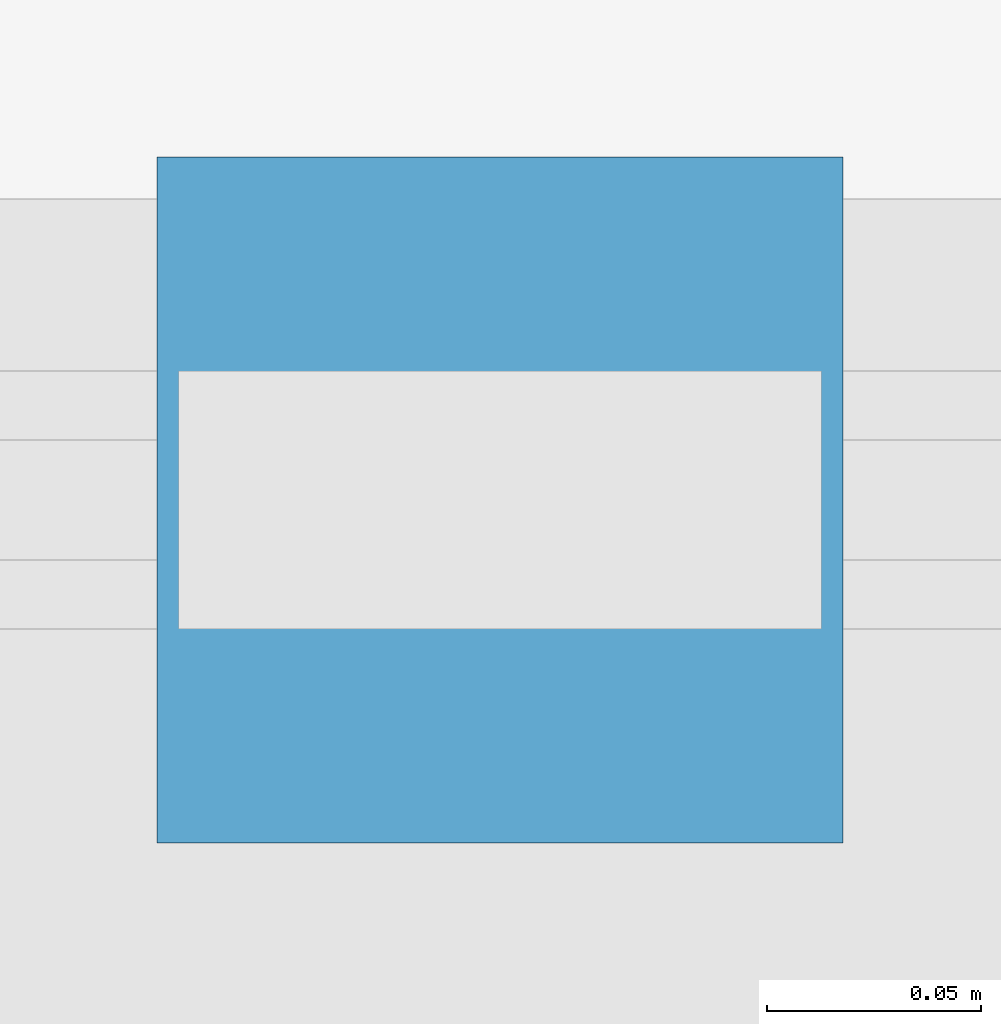
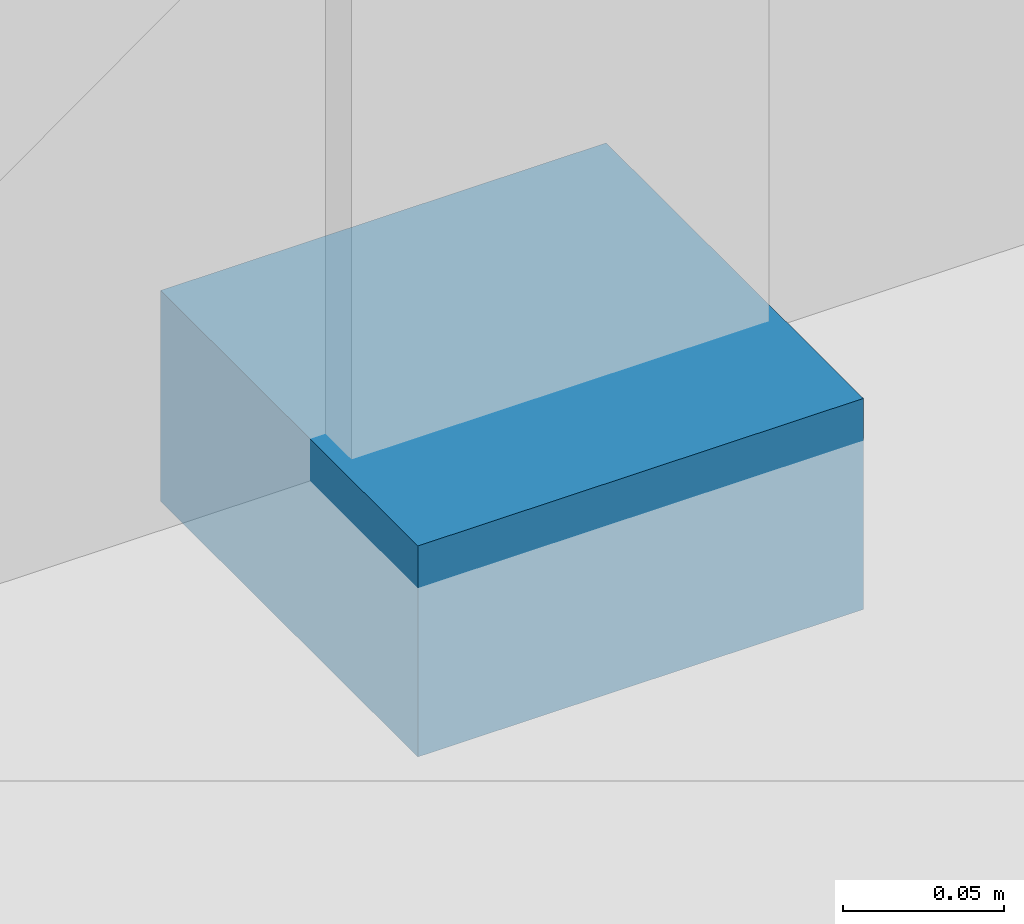
# One storey, part 64 of 76: 1 discrete accessory.
"""IFC4 building model written with IfcOpenShell, lengths in metres."""

import ifcopenshell
import ifcopenshell.guid

model = None  # the IFC model being written
_history = None  # IfcOwnerHistory: only IFC2X3 demands one
_inside = {}  # id of a spatial element -> (the spatial element, [elements in it])
_under = {}  # id of a project, library or spatial element -> (it, [spatial elements below it])
_declared = {}  # id of a project -> (the project, [libraries it declares])
_typed = {}  # id of a type object -> (the type object, [elements of that type])
_made_of = {}  # id of a material, layer set ... -> (it, [elements and type objects made of it])


def new_model(schema):
    """Start an empty IFC model of exactly this schema.

    Asked for "IFC4X3", IfcOpenShell would pick the latest addendum, in which some entities
    have other attributes; the version numbers below select the first issue.
    IFC2X3 requires an IfcOwnerHistory on every rooted entity: one is made here for all.
    """
    global model, _history
    if schema == "IFC4X3":
        model = ifcopenshell.file(schema_version=(4, 3, 0, 0))
    else:
        model = ifcopenshell.file(schema=schema)
    _inside.clear()
    _under.clear()
    _declared.clear()
    _typed.clear()
    _made_of.clear()
    _history = None
    if model.schema == "IFC2X3":
        org = make("IfcOrganization", Name="unknown")
        user = make(
            "IfcPersonAndOrganization",
            ThePerson=make("IfcPerson", FamilyName="unknown"),
            TheOrganization=org,
        )
        app = make(
            "IfcApplication",
            ApplicationDeveloper=org,
            Version="unknown",
            ApplicationFullName="unknown",
            ApplicationIdentifier="unknown",
        )
        _history = make(
            "IfcOwnerHistory",
            OwningUser=user,
            OwningApplication=app,
            ChangeAction="ADDED",
            CreationDate=0,
        )
    return model


def make(cls, **values):
    """One entity of the class cls with the attributes given. An attribute that is None is left unset."""
    return model.create_entity(
        cls, **{name: value for name, value in values.items() if value is not None}
    )


def rooted(cls, **values):
    """An entity with a GlobalId (a new one), such as an element, a storey or a relation."""
    return make(cls, GlobalId=ifcopenshell.guid.new(), OwnerHistory=_history, **values)


def si_unit(unit_type, name, prefix=None):
    """IfcSIUnit, for example si_unit("LENGTHUNIT", "METRE", prefix="MILLI")."""
    return make("IfcSIUnit", UnitType=unit_type, Prefix=prefix, Name=name)


def assignment(units):
    """IfcUnitAssignment: the units of a project."""
    return None if units is None else make("IfcUnitAssignment", Units=units)


def point(xyz):
    """IfcCartesianPoint."""
    return None if xyz is None else make("IfcCartesianPoint", Coordinates=xyz)


def direction(xyz):
    """IfcDirection."""
    return None if xyz is None else make("IfcDirection", DirectionRatios=xyz)


def frame(location, z_axis=None, x_axis=None):
    """IfcAxis2Placement3D, a coordinate frame: its origin and axes. An axis left out is left unset."""
    return make(
        "IfcAxis2Placement3D",
        Location=point(location),
        Axis=direction(z_axis),
        RefDirection=direction(x_axis),
    )


def frame_2d(location, x_axis=None):
    """IfcAxis2Placement2D, a coordinate frame in the plane: its origin and x axis."""
    return make(
        "IfcAxis2Placement2D", Location=point(location), RefDirection=direction(x_axis)
    )


def origin():
    """The frame at (0, 0, 0) with its axes left unset."""
    return frame((0.0, 0.0, 0.0))


def origin_2d():
    """The frame at (0, 0) in the plane with its x axis left unset."""
    return frame_2d((0.0, 0.0))


def place(relative_to, where):
    """IfcLocalPlacement: puts the frame where relative to a parent placement (None: the world)."""
    return make(
        "IfcLocalPlacement", PlacementRelTo=relative_to, RelativePlacement=where
    )


def context(
    kind, dimensions, precision=None, world=None, true_north=None, identifier=None
):
    """IfcGeometricRepresentationContext, for example the 3D "Model" context."""
    return make(
        "IfcGeometricRepresentationContext",
        ContextIdentifier=identifier,
        ContextType=kind,
        CoordinateSpaceDimension=dimensions,
        Precision=precision,
        WorldCoordinateSystem=world,
        TrueNorth=true_north,
    )


def subcontext(parent, identifier, kind, view, scale=None):
    """IfcGeometricRepresentationSubContext, for example "Body" below "Model"."""
    return make(
        "IfcGeometricRepresentationSubContext",
        ContextIdentifier=identifier,
        ContextType=kind,
        ParentContext=parent,
        TargetScale=scale,
        TargetView=view,
    )


def project(units=None, contexts=None):
    """IfcProject with its units and contexts."""
    return rooted(
        "IfcProject",
        Name="project",
        RepresentationContexts=contexts,
        UnitsInContext=assignment(units),
    )


def spatial(cls, under=None, at=None, **own):
    """A site, building, storey or space (cls), placed at a placement, below another one or the project."""
    s = rooted(cls, ObjectPlacement=at, **own)
    if under is not None:
        _under.setdefault(under.id(), (under, []))[1].append(s)
    return s


def profile(cls, at=None, kind="AREA", **sizes):
    """A parametric profile (cls). Its sizes go by their IFC names, for example OverallWidth=200.0."""
    return make(cls, ProfileType=kind, Position=at, **sizes)


def rectangle(**sizes):
    """IfcRectangleProfileDef."""
    return profile("IfcRectangleProfileDef", **sizes)


def extrude(swept, where, along, depth):
    """IfcExtrudedAreaSolid: the profile swept, set in the frame where, extruded along a direction by depth."""
    return make(
        "IfcExtrudedAreaSolid",
        SweptArea=swept,
        Position=where,
        ExtrudedDirection=direction(along),
        Depth=depth,
    )


def shape(context_of_items, identifier, shape_type, items):
    """IfcShapeRepresentation: the items that make up one representation, for example the "Body"."""
    return make(
        "IfcShapeRepresentation",
        ContextOfItems=context_of_items,
        RepresentationIdentifier=identifier,
        RepresentationType=shape_type,
        Items=items,
    )


def material(Name=None, Category=None):
    """IfcMaterial."""
    return make("IfcMaterial", Name=Name, Category=Category)


def layer(
    of_material, thickness, ventilated=None, Name=None, Category=None, Priority=None
):
    """IfcMaterialLayer: one layer of a wall or slab, of a material (None: an air gap)."""
    return make(
        "IfcMaterialLayer",
        Material=of_material,
        LayerThickness=thickness,
        IsVentilated=ventilated,
        Name=Name,
        Category=Category,
        Priority=Priority,
    )


def layer_set(layers, Name=None):
    """IfcMaterialLayerSet."""
    return make("IfcMaterialLayerSet", MaterialLayers=layers, LayerSetName=Name)


def made_of(thing, what):
    """Note that an element or type object is made of a material, layer set ...; save() writes the relation."""
    if what is not None:
        _made_of.setdefault(what.id(), (what, []))[1].append(thing)
    return thing


def type_object(cls, material=None, **own):
    """A type object (cls), such as IfcWallType, which elements share."""
    return made_of(rooted(cls, **own), material)


def element(
    cls,
    number,
    at=None,
    inside=None,
    cuts=None,
    type_object=None,
    material=None,
    context=None,
    identifier="Body",
    shape_type=None,
    held_by="IfcProductDefinitionShape",
    body=None,
    shapes=None,
    **own,
):
    """One element of the class cls, such as IfcWall. Its Tag is "e" and its number.

    at: its placement. inside: the storey or other place that contains it. cuts: it is an
    opening in that element (IfcRelVoidsElement). A single representation is given by context,
    identifier, shape_type and body (its items); several are given by shapes. held_by: the class
    of the entity that holds the representations. save() writes the other relations.
    """
    e = rooted(cls, Tag="e%d" % number, ObjectPlacement=at, **own)
    if body is not None:
        shapes = [shape(context, identifier, shape_type, body)]
    if shapes is not None:
        e.Representation = make(held_by, Representations=shapes)
    if inside is not None:
        _inside.setdefault(inside.id(), (inside, []))[1].append(e)
    if cuts is not None:
        rooted(
            "IfcRelVoidsElement", RelatingBuildingElement=cuts, RelatedOpeningElement=e
        )
    if type_object is not None:
        _typed.setdefault(type_object.id(), (type_object, []))[1].append(e)
    return made_of(e, material)


def aggregate(whole, parts):
    """IfcRelAggregates: a whole, such as a stair, and the parts it consists of."""
    return rooted("IfcRelAggregates", RelatingObject=whole, RelatedObjects=parts)


def save(model, path):
    """Write the relations noted so far, then the file.

    IfcRelAggregates (storeys below a building ...), IfcRelContainedInSpatialStructure (elements
    in a storey), IfcRelDefinesByType, IfcRelAssociatesMaterial and IfcRelDeclares: one each for
    every whole, place, type object, material and project.
    """
    for whole, parts in _under.values():
        aggregate(whole, parts)
    for where, things in _inside.values():
        rooted(
            "IfcRelContainedInSpatialStructure",
            RelatedElements=things,
            RelatingStructure=where,
        )
    for kind, things in _typed.values():
        rooted("IfcRelDefinesByType", RelatedObjects=things, RelatingType=kind)
    for what, things in _made_of.values():
        rooted("IfcRelAssociatesMaterial", RelatedObjects=things, RelatingMaterial=what)
    for by, libraries in _declared.values():
        rooted("IfcRelDeclares", RelatingContext=by, RelatedDefinitions=libraries)
    model.write(path)


model = new_model("IFC4")

# Units and contexts
model_context = context("Model", 3, precision=1e-05, world=origin(), true_north=direction((0.0, 1.0)))
body_context = subcontext(model_context, "Body", "Model", "MODEL_VIEW")
ifc_project = project(units=[si_unit("LENGTHUNIT", "METRE"), si_unit("AREAUNIT", "SQUARE_METRE"), si_unit("VOLUMEUNIT", "CUBIC_METRE"), si_unit("PLANEANGLEUNIT", "RADIAN"), si_unit("MASSUNIT", "GRAM", prefix="KILO")], contexts=[model_context])

# Site, building, storey
site_placement = place(None, origin())
site = spatial("IfcSite", under=ifc_project, at=site_placement, CompositionType="ELEMENT")
building_placement = place(site_placement, origin())
building = spatial("IfcBuilding", under=site, at=building_placement, Name="Qaldarim Faculty of Natural and Applied Sciences", CompositionType="ELEMENT")
storey_placement = place(building_placement, frame((0.0, 0.0, 9.89990234375)))
storey = spatial("IfcBuildingStorey", under=building, at=storey_placement, Name="L02", CompositionType="ELEMENT", Elevation=9.89990234375)

# Discrete accessory
ifc_material = material(Name="Architectural stainless steel 316", Category="steel")
ifc_layer = layer(ifc_material, 0.080078125)
ifc_layer_set = layer_set([ifc_layer], Name="Architectural stainless steel 316")
discrete_accessory_type = type_object("IfcDiscreteAccessoryType", Name="FacadeBracket-SS120", PredefinedType="BRACKET", material=ifc_layer_set)
discrete_accessory_placement = place(storey_placement, frame((174.89990234375, 100.8798828125, 3.85009765625), z_axis=(0.0, 0.0, 1.0), x_axis=(1.0, 0.0, 0.0)))
element("IfcDiscreteAccessory", 1, at=discrete_accessory_placement, inside=storey, type_object=discrete_accessory_type, Name="Solar louvre support bracket SHD-L02-S-X27Y13", PredefinedType="BRACKET", context=body_context, shape_type="SweptSolid", body=[
    extrude(rectangle(XDim=0.159912109375, YDim=0.159912109375, at=origin_2d()), origin(), (0.0, 0.0, 1.0), 0.080078125),
])

save(model, "model.ifc")
